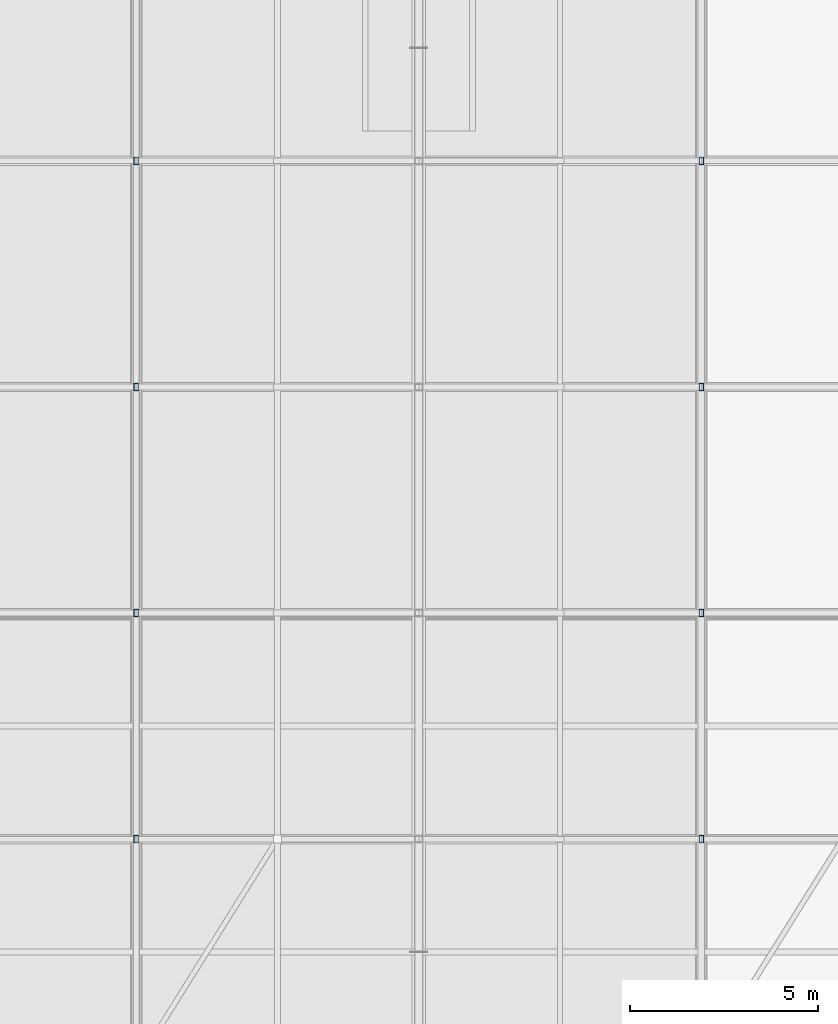
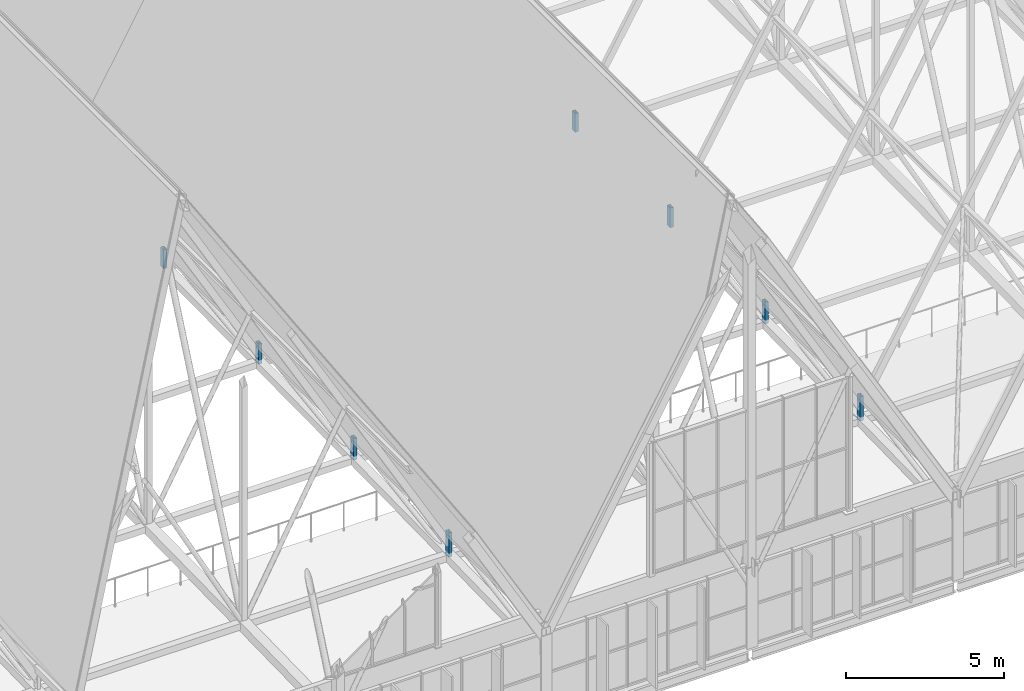
# One storey, part 256 of 324: 8 members.
"""IFC4 building model written with IfcOpenShell, lengths in metres."""

from ifc_helpers import new_model, si_unit, direction, frame, origin, origin_2d, place, context, subcontext, project, spatial, hollow_rectangle, extrude, material, material_profile, profile_set, type_object, element, save


model = new_model("IFC4")

# Units and contexts
model_context = context("Model", 3, precision=1e-05, world=origin(), true_north=direction((0.0, 1.0)))
body_context = subcontext(model_context, "Body", "Model", "MODEL_VIEW")
ifc_project = project(units=[si_unit("LENGTHUNIT", "METRE"), si_unit("AREAUNIT", "SQUARE_METRE"), si_unit("VOLUMEUNIT", "CUBIC_METRE"), si_unit("PLANEANGLEUNIT", "RADIAN"), si_unit("MASSUNIT", "GRAM", prefix="KILO")], contexts=[model_context])

# Site, building, storey
site_placement = place(None, origin())
site = spatial("IfcSite", under=ifc_project, at=site_placement, CompositionType="ELEMENT")
building_placement = place(site_placement, origin())
building = spatial("IfcBuilding", under=site, at=building_placement, Name="Solvenia Promenade Tram Depot", CompositionType="ELEMENT")
storey_placement = place(building_placement, frame((0.0, 0.0, 4.5)))
storey = spatial("IfcBuildingStorey", under=building, at=storey_placement, Name="L01", CompositionType="ELEMENT", Elevation=4.5)

# Members
ifc_material = material(Name="Structural steel ASTM A500 Gr. C", Category="steel")
ifc_material_profile = material_profile(ifc_material, hollow_rectangle(XDim=0.1201171875, YDim=0.199951171875, WallThickness=0.008056640625, at=origin_2d()), Name="HSS200x120x8", Category="steel")
ifc_profile_set = profile_set([ifc_material_profile], Name="Structural steel ASTM A500 Gr. C")
member_type = type_object("IfcMemberType", Name="Post-HSS200x120x8", PredefinedType="POST", material=ifc_profile_set)
member_1_placement = place(storey_placement, frame((75.0, 72.0, 2.446044921875), z_axis=(0.0, 0.0, 1.0), x_axis=(1.0, 0.0, 0.0)))
element("IfcMember", 1, at=member_1_placement, inside=storey, type_object=member_type, Name="Arched Truss T11 Web Post S01", PredefinedType="POST", context=body_context, shape_type="SweptSolid", body=[
    extrude(hollow_rectangle(XDim=0.1201171875, YDim=0.199951171875, WallThickness=0.008056640625, at=origin_2d()), origin(), (0.0, 0.0, 1.0), 0.933837890625),
])
member_2_placement = place(storey_placement, frame((75.0, 78.0, 2.5439453125), z_axis=(0.0, 0.0, 1.0), x_axis=(1.0, 0.0, 0.0)))
element("IfcMember", 2, at=member_2_placement, inside=storey, type_object=member_type, Name="Arched Truss T11 Web Post S02", PredefinedType="POST", context=body_context, shape_type="SweptSolid", body=[
    extrude(hollow_rectangle(XDim=0.1201171875, YDim=0.199951171875, WallThickness=0.008056640625, at=origin_2d()), origin(), (0.0, 0.0, 1.0), 0.8359375),
])
member_3_placement = place(storey_placement, frame((75.0, 84.0, 2.614013671875), z_axis=(0.0, 0.0, 1.0), x_axis=(1.0, 0.0, 0.0)))
element("IfcMember", 3, at=member_3_placement, inside=storey, type_object=member_type, Name="Arched Truss T11 Web Post S03", PredefinedType="POST", context=body_context, shape_type="SweptSolid", body=[
    extrude(hollow_rectangle(XDim=0.1201171875, YDim=0.199951171875, WallThickness=0.008056640625, at=origin_2d()), origin(), (0.0, 0.0, 1.0), 0.765869140625),
])
member_4_placement = place(storey_placement, frame((75.0, 90.0, 2.656005859375), z_axis=(0.0, 0.0, 1.0), x_axis=(1.0, 0.0, 0.0)))
element("IfcMember", 4, at=member_4_placement, inside=storey, type_object=member_type, Name="Arched Truss T11 Web Post S04", PredefinedType="POST", context=body_context, shape_type="SweptSolid", body=[
    extrude(hollow_rectangle(XDim=0.1201171875, YDim=0.199951171875, WallThickness=0.008056640625, at=origin_2d()), origin(), (0.0, 0.0, 1.0), 0.723876953125),
])
member_5_placement = place(storey_placement, frame((90.0, 72.0, 2.446044921875), z_axis=(0.0, 0.0, 1.0), x_axis=(1.0, 0.0, 0.0)))
element("IfcMember", 5, at=member_5_placement, inside=storey, type_object=member_type, Name="Arched Truss T13 Web Post S01", PredefinedType="POST", context=body_context, shape_type="SweptSolid", body=[
    extrude(hollow_rectangle(XDim=0.1201171875, YDim=0.199951171875, WallThickness=0.008056640625, at=origin_2d()), origin(), (0.0, 0.0, 1.0), 0.933837890625),
])
member_6_placement = place(storey_placement, frame((90.0, 78.0, 2.5439453125), z_axis=(0.0, 0.0, 1.0), x_axis=(1.0, 0.0, 0.0)))
element("IfcMember", 6, at=member_6_placement, inside=storey, type_object=member_type, Name="Arched Truss T13 Web Post S02", PredefinedType="POST", context=body_context, shape_type="SweptSolid", body=[
    extrude(hollow_rectangle(XDim=0.1201171875, YDim=0.199951171875, WallThickness=0.008056640625, at=origin_2d()), origin(), (0.0, 0.0, 1.0), 0.8359375),
])
member_7_placement = place(storey_placement, frame((90.0, 84.0, 2.614013671875), z_axis=(0.0, 0.0, 1.0), x_axis=(1.0, 0.0, 0.0)))
element("IfcMember", 7, at=member_7_placement, inside=storey, type_object=member_type, Name="Arched Truss T13 Web Post S03", PredefinedType="POST", context=body_context, shape_type="SweptSolid", body=[
    extrude(hollow_rectangle(XDim=0.1201171875, YDim=0.199951171875, WallThickness=0.008056640625, at=origin_2d()), origin(), (0.0, 0.0, 1.0), 0.765869140625),
])
member_8_placement = place(storey_placement, frame((90.0, 90.0, 2.656005859375), z_axis=(0.0, 0.0, 1.0), x_axis=(1.0, 0.0, 0.0)))
element("IfcMember", 8, at=member_8_placement, inside=storey, type_object=member_type, Name="Arched Truss T13 Web Post S04", PredefinedType="POST", context=body_context, shape_type="SweptSolid", body=[
    extrude(hollow_rectangle(XDim=0.1201171875, YDim=0.199951171875, WallThickness=0.008056640625, at=origin_2d()), origin(), (0.0, 0.0, 1.0), 0.723876953125),
])

save(model, "model.ifc")
